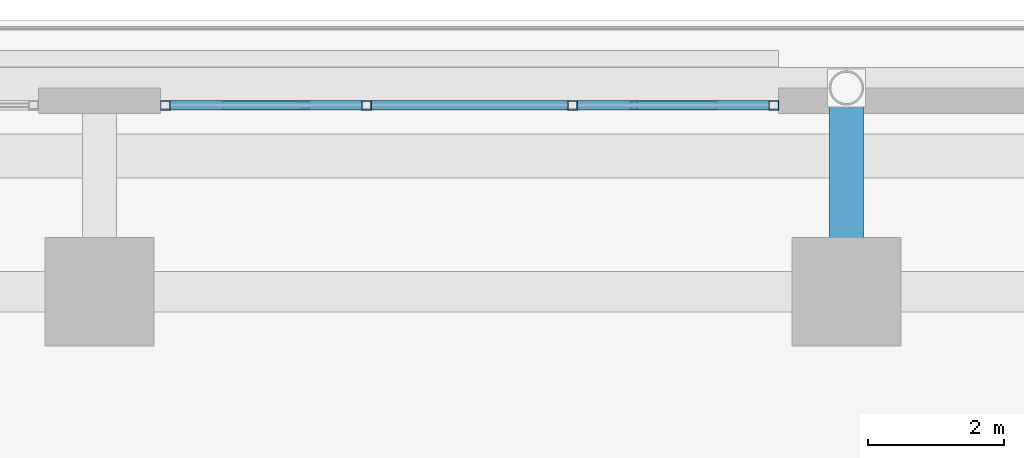
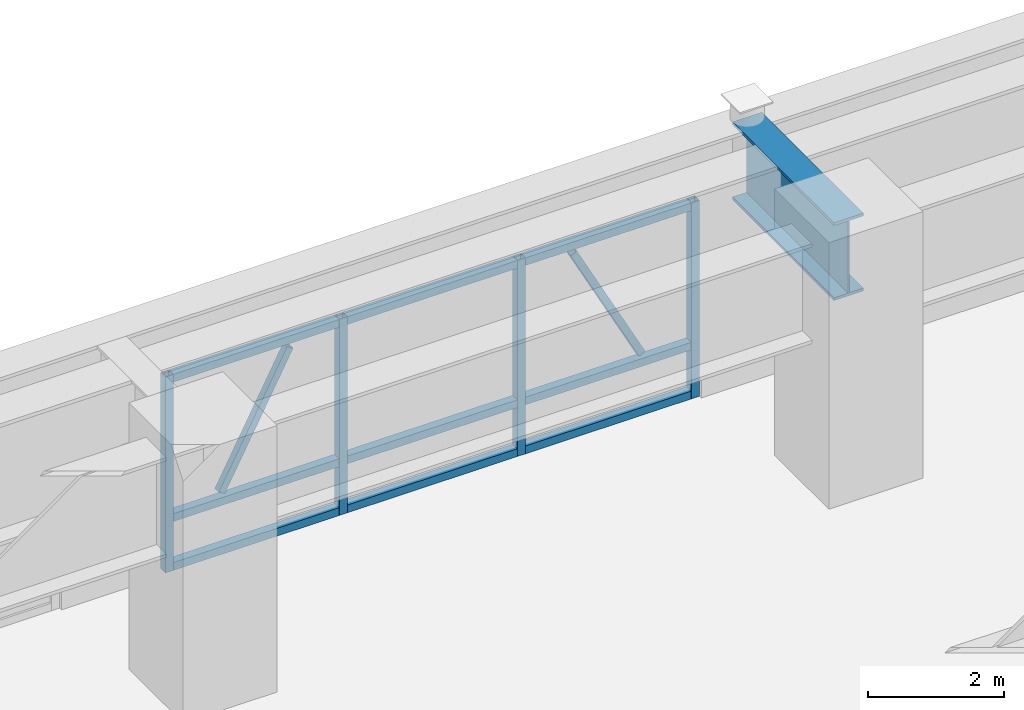
# One storey, part 22 of 38: 15 members, 1 beam, 1 element without a shape of its own.
"""IFC4 building model written with IfcOpenShell, lengths in metres."""

from ifc_helpers import new_model, si_unit, direction, frame, origin, origin_2d, place, context, subcontext, project, spatial, hollow_rectangle, i_section, extrude, source, transform, mapped, material, material_profile, profile_set, type_object, element, aggregate, save


model = new_model("IFC4")

# Units and contexts
model_context = context("Model", 3, precision=1e-05, world=origin(), true_north=direction((0.0, 1.0)))
body_context = subcontext(model_context, "Body", "Model", "MODEL_VIEW")
ifc_project = project(units=[si_unit("LENGTHUNIT", "METRE"), si_unit("AREAUNIT", "SQUARE_METRE"), si_unit("VOLUMEUNIT", "CUBIC_METRE"), si_unit("PLANEANGLEUNIT", "RADIAN"), si_unit("MASSUNIT", "GRAM", prefix="KILO")], contexts=[model_context])

# Site, building, storey
site_placement = place(None, origin())
site = spatial("IfcSite", under=ifc_project, at=site_placement, CompositionType="ELEMENT")
building_placement = place(site_placement, origin())
building = spatial("IfcBuilding", under=site, at=building_placement, Name="Khorayat Bourse Tower", CompositionType="ELEMENT")
storey_placement = place(building_placement, frame((0.0, 0.0, 17.39990234375)))
storey = spatial("IfcBuildingStorey", under=building, at=storey_placement, Name="L03", CompositionType="ELEMENT", Elevation=17.39990234375)

# Beam
ifc_material_1 = material(Name="Steel EN 10025-4 S460M", Category="steel")
ifc_material_profile_1 = material_profile(ifc_material_1, i_section(OverallWidth=0.5, OverallDepth=1.39990234375, WebThickness=0.02490234375, FlangeThickness=0.050048828125, at=origin_2d()), Name="PG 1400x500x25x50")
ifc_profile_set_1 = profile_set([ifc_material_profile_1], Name="Steel EN 10025-4 S460M")
beam_type = type_object("IfcBeamType", Name="BM-TR-1400", PredefinedType="BEAM", material=ifc_profile_set_1)
shared_shape_1 = source(origin(), body_context, "Body", "SweptSolid", [
    extrude(i_section(OverallWidth=0.5, OverallDepth=1.39990234375, WebThickness=0.02490234375, FlangeThickness=0.050048828125, at=origin_2d()), origin(), (0.0, 0.0, 1.0), 3.0),
])
beam_placement = place(storey_placement, frame((11.0, 32.0, 3.780029296875), z_axis=(0.0, 1.0, 0.0), x_axis=(-1.0, 0.0, 0.0)))
element("IfcBeam", 1, at=beam_placement, inside=storey, type_object=beam_type, Name="L03 BM-TR-1400 BM-L03-PGY-136", PredefinedType="BEAM", context=body_context, shape_type="MappedRepresentation", body=[
    mapped(shared_shape_1, transform((0.0, 0.0, 0.0), scale=1.0)),
])

# Curtain wall, members
ifc_material_2 = material(Name="Aluminium EN AW-6063 T6", Category="aluminium")
curtain_wall_type = type_object("IfcCurtainWallType", Name="CW-SYS-01", PredefinedType="NOTDEFINED", material=ifc_material_2)
curtain_wall_placement = place(storey_placement, origin())
curtain_wall = element("IfcCurtainWall", 2, at=curtain_wall_placement, inside=storey, type_object=curtain_wall_type, Name="L03 Curtain Wall CW-L03-NE", PredefinedType="NOTDEFINED")
ifc_material_profile_2 = material_profile(ifc_material_2, hollow_rectangle(XDim=0.139892578125, YDim=0.139892578125, WallThickness=0.006103515625, at=origin_2d()), Name="ALU 140x140x6")
ifc_profile_set_2 = profile_set([ifc_material_profile_2], Name="Aluminium EN AW-6063 T6")
member_type_1 = type_object("IfcMemberType", Name="CWT-HORZ-140", PredefinedType="USERDEFINED", material=ifc_profile_set_2)
shared_shape_2 = source(origin(), body_context, "Body", "SweptSolid", [
    extrude(hollow_rectangle(XDim=0.139892578125, YDim=0.139892578125, WallThickness=0.006103515625, at=origin_2d()), origin(), (0.0, 0.0, 1.0), 2.823486328125),
])
member_1_placement = place(storey_placement, frame((9.860107421875, 34.742919921875, 0.070068359375), z_axis=(-1.0, 0.0, 0.0), x_axis=(0.0, -1.0, 0.0)))
member_1 = element("IfcMember", 3, at=member_1_placement, type_object=member_type_1, Name="CW-L03-NE Horizontal Transom 1-1", ObjectType="TRANSOM", PredefinedType="USERDEFINED", context=body_context, shape_type="MappedRepresentation", body=[
    mapped(shared_shape_2, transform((0.0, 0.0, 0.0), scale=1.0)),
])
member_2_placement = place(storey_placement, frame((9.860107421875, 34.742919921875, 0.9501953125), z_axis=(-1.0, 0.0, 0.0), x_axis=(0.0, -1.0, 0.0)))
member_2 = element("IfcMember", 4, at=member_2_placement, type_object=member_type_1, Name="CW-L03-NE Horizontal Transom 1-2", ObjectType="TRANSOM", PredefinedType="USERDEFINED", context=body_context, shape_type="MappedRepresentation", body=[
    mapped(shared_shape_2, transform((0.0, 0.0, 0.0), scale=1.0)),
])
member_3_placement = place(storey_placement, frame((9.860107421875, 34.742919921875, 3.460205078125), z_axis=(-1.0, 0.0, 0.0), x_axis=(0.0, -1.0, 0.0)))
member_3 = element("IfcMember", 5, at=member_3_placement, type_object=member_type_1, Name="CW-L03-NE Horizontal Transom 1-3", ObjectType="TRANSOM", PredefinedType="USERDEFINED", context=body_context, shape_type="MappedRepresentation", body=[
    mapped(shared_shape_2, transform((0.0, 0.0, 0.0), scale=1.0)),
])
shared_shape_3 = source(origin(), body_context, "Body", "SweptSolid", [
    extrude(hollow_rectangle(XDim=0.139892578125, YDim=0.139892578125, WallThickness=0.006103515625, at=origin_2d()), origin(), (0.0, 0.0, 1.0), 2.893310546875),
])
member_4_placement = place(storey_placement, frame((6.896728515625, 34.742919921875, 0.070068359375), z_axis=(-1.0, 0.0, 0.0), x_axis=(0.0, -1.0, 0.0)))
member_4 = element("IfcMember", 6, at=member_4_placement, type_object=member_type_1, Name="CW-L03-NE Horizontal Transom 2-1", ObjectType="TRANSOM", PredefinedType="USERDEFINED", context=body_context, shape_type="MappedRepresentation", body=[
    mapped(shared_shape_3, transform((0.0, 0.0, 0.0), scale=1.0)),
])
member_5_placement = place(storey_placement, frame((6.896728515625, 34.742919921875, 0.9501953125), z_axis=(-1.0, 0.0, 0.0), x_axis=(0.0, -1.0, 0.0)))
member_5 = element("IfcMember", 7, at=member_5_placement, type_object=member_type_1, Name="CW-L03-NE Horizontal Transom 2-2", ObjectType="TRANSOM", PredefinedType="USERDEFINED", context=body_context, shape_type="MappedRepresentation", body=[
    mapped(shared_shape_3, transform((0.0, 0.0, 0.0), scale=1.0)),
])
member_6_placement = place(storey_placement, frame((6.896728515625, 34.742919921875, 3.460205078125), z_axis=(-1.0, 0.0, 0.0), x_axis=(0.0, -1.0, 0.0)))
member_6 = element("IfcMember", 8, at=member_6_placement, type_object=member_type_1, Name="CW-L03-NE Horizontal Transom 2-3", ObjectType="TRANSOM", PredefinedType="USERDEFINED", context=body_context, shape_type="MappedRepresentation", body=[
    mapped(shared_shape_3, transform((0.0, 0.0, 0.0), scale=1.0)),
])
shared_shape_4 = source(origin(), body_context, "Body", "SweptSolid", [
    extrude(hollow_rectangle(XDim=0.139892578125, YDim=0.139892578125, WallThickness=0.006103515625, at=origin_2d()), origin(), (0.0, 0.0, 1.0), 2.8232421875),
])
member_7_placement = place(storey_placement, frame((3.86328125, 34.742919921875, 0.070068359375), z_axis=(-1.0, 0.0, 0.0), x_axis=(0.0, -1.0, 0.0)))
member_7 = element("IfcMember", 9, at=member_7_placement, type_object=member_type_1, Name="CW-L03-NE Horizontal Transom 3-1", ObjectType="TRANSOM", PredefinedType="USERDEFINED", context=body_context, shape_type="MappedRepresentation", body=[
    mapped(shared_shape_4, transform((0.0, 0.0, 0.0), scale=1.0)),
])
member_8_placement = place(storey_placement, frame((3.86328125, 34.742919921875, 0.9501953125), z_axis=(-1.0, 0.0, 0.0), x_axis=(0.0, -1.0, 0.0)))
member_8 = element("IfcMember", 10, at=member_8_placement, type_object=member_type_1, Name="CW-L03-NE Horizontal Transom 3-2", ObjectType="TRANSOM", PredefinedType="USERDEFINED", context=body_context, shape_type="MappedRepresentation", body=[
    mapped(shared_shape_4, transform((0.0, 0.0, 0.0), scale=1.0)),
])
member_9_placement = place(storey_placement, frame((3.86328125, 34.742919921875, 3.460205078125), z_axis=(-1.0, 0.0, 0.0), x_axis=(0.0, -1.0, 0.0)))
member_9 = element("IfcMember", 11, at=member_9_placement, type_object=member_type_1, Name="CW-L03-NE Horizontal Transom 3-3", ObjectType="TRANSOM", PredefinedType="USERDEFINED", context=body_context, shape_type="MappedRepresentation", body=[
    mapped(shared_shape_4, transform((0.0, 0.0, 0.0), scale=1.0)),
])
ifc_material_profile_3 = material_profile(ifc_material_2, hollow_rectangle(XDim=0.139892578125, YDim=0.139892578125, WallThickness=0.006103515625, at=origin_2d()), Name="ALU 140x140x6")
ifc_profile_set_3 = profile_set([ifc_material_profile_3], Name="Aluminium EN AW-6063 T6")
member_type_2 = type_object("IfcMemberType", Name="CWM-VERT-140", PredefinedType="MULLION", material=ifc_profile_set_3)
shared_shape_5 = source(origin(), body_context, "Body", "SweptSolid", [
    extrude(hollow_rectangle(XDim=0.139892578125, YDim=0.139892578125, WallThickness=0.006103515625, at=origin_2d()), origin(), (0.0, 0.0, 1.0), 3.530029296875),
])
member_10_placement = place(storey_placement, frame((9.929931640625, 34.742919921875, 0.0), z_axis=(0.0, 0.0, 1.0), x_axis=(0.0, -1.0, 0.0)))
member_10 = element("IfcMember", 12, at=member_10_placement, type_object=member_type_2, Name="CW-L03-NE Vertical Mullion 1", PredefinedType="MULLION", context=body_context, shape_type="MappedRepresentation", body=[
    mapped(shared_shape_5, transform((0.0, 0.0, 0.0), scale=1.0)),
])
member_11_placement = place(storey_placement, frame((6.966552734375, 34.742919921875, 0.0), z_axis=(0.0, 0.0, 1.0), x_axis=(0.0, -1.0, 0.0)))
member_11 = element("IfcMember", 13, at=member_11_placement, type_object=member_type_2, Name="CW-L03-NE Vertical Mullion 2", PredefinedType="MULLION", context=body_context, shape_type="MappedRepresentation", body=[
    mapped(shared_shape_5, transform((0.0, 0.0, 0.0), scale=1.0)),
])
member_12_placement = place(storey_placement, frame((3.933349609375, 34.742919921875, 0.0), z_axis=(0.0, 0.0, 1.0), x_axis=(0.0, -1.0, 0.0)))
member_12 = element("IfcMember", 14, at=member_12_placement, type_object=member_type_2, Name="CW-L03-NE Vertical Mullion 3", PredefinedType="MULLION", context=body_context, shape_type="MappedRepresentation", body=[
    mapped(shared_shape_5, transform((0.0, 0.0, 0.0), scale=1.0)),
])
member_13_placement = place(storey_placement, frame((0.969970703125, 34.742919921875, 0.0), z_axis=(0.0, 0.0, 1.0), x_axis=(0.0, -1.0, 0.0)))
member_13 = element("IfcMember", 15, at=member_13_placement, type_object=member_type_2, Name="CW-L03-NE Vertical Mullion 4", PredefinedType="MULLION", context=body_context, shape_type="MappedRepresentation", body=[
    mapped(shared_shape_5, transform((0.0, 0.0, 0.0), scale=1.0)),
])
ifc_material_profile_4 = material_profile(ifc_material_2, hollow_rectangle(XDim=0.1201171875, YDim=0.1201171875, WallThickness=0.0048828125, at=origin_2d()), Name="ALU 120x120x5")
ifc_profile_set_4 = profile_set([ifc_material_profile_4], Name="Aluminium EN AW-6063 T6")
member_type_3 = type_object("IfcMemberType", Name="CWM-DIAG-120", PredefinedType="MULLION", material=ifc_profile_set_4)
shared_shape_6 = source(origin(), body_context, "Body", "SweptSolid", [
    extrude(hollow_rectangle(XDim=0.1201171875, YDim=0.1201171875, WallThickness=0.0048828125, at=origin_2d()), origin(), (0.0, 0.0, 1.0), 2.49755859375),
])
member_14_placement = place(storey_placement, frame((9.030029296875, 34.742919921875, 1.10009765625), z_axis=(-0.465806866522, 0.0, 0.884886412542), x_axis=(0.0, -1.0, 0.0)))
member_14 = element("IfcMember", 16, at=member_14_placement, type_object=member_type_3, Name="CW-L03-NE Faceted Diagonal Mullion 1", PredefinedType="MULLION", context=body_context, shape_type="MappedRepresentation", body=[
    mapped(shared_shape_6, transform((0.0, 0.0, 0.0), scale=1.0)),
])
shared_shape_7 = source(origin(), body_context, "Body", "SweptSolid", [
    extrude(hollow_rectangle(XDim=0.1201171875, YDim=0.1201171875, WallThickness=0.0048828125, at=origin_2d()), origin(), (0.0, 0.0, 1.0), 2.497314453125),
])
member_15_placement = place(storey_placement, frame((1.8701171875, 34.742919921875, 1.10009765625), z_axis=(0.465730316081, 0.0, 0.884926704695), x_axis=(0.0, 1.0, 0.0)))
member_15 = element("IfcMember", 17, at=member_15_placement, type_object=member_type_3, Name="CW-L03-NE Faceted Diagonal Mullion 3", PredefinedType="MULLION", context=body_context, shape_type="MappedRepresentation", body=[
    mapped(shared_shape_7, transform((0.0, 0.0, 0.0), scale=1.0)),
])
aggregate(curtain_wall, [member_10, member_11, member_12, member_13, member_1, member_2, member_3, member_14, member_4, member_5, member_6, member_7, member_8, member_9, member_15])

save(model, "model.ifc")
